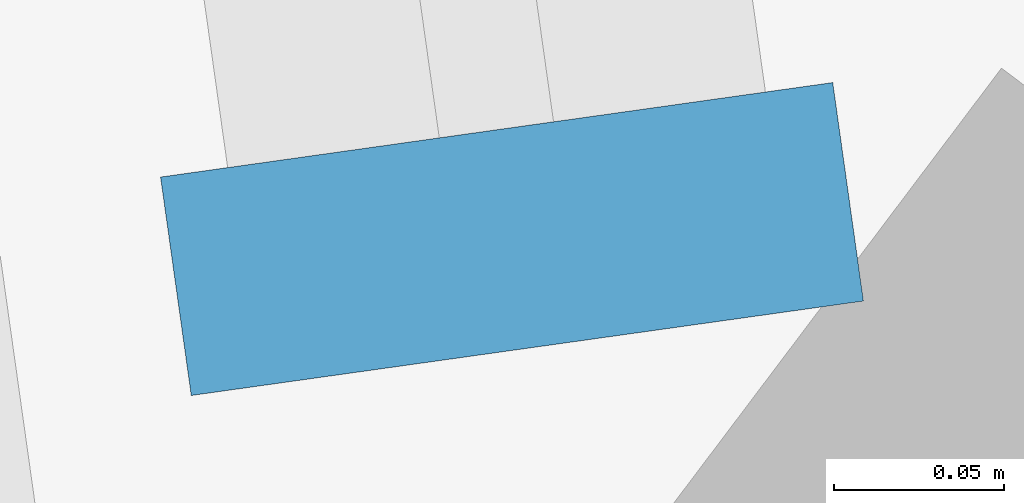
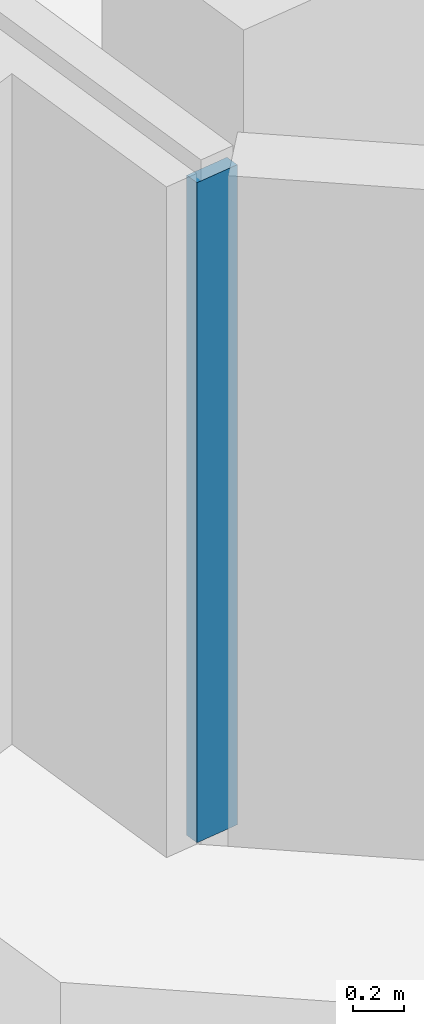
# One storey, part 15 of 41: 1 member, 1 element without a shape of its own.
"""IFC4 building model written with IfcOpenShell, lengths in metres."""

from ifc_helpers import new_model, si_unit, direction, frame, origin, origin_2d, place, context, subcontext, project, spatial, rectangle, extrude, material, material_profile, profile_set, type_object, element, aggregate, save


model = new_model("IFC4")

# Units and contexts
model_context = context("Model", 3, precision=1e-05, world=origin(), true_north=direction((0.0, 1.0)))
body_context = subcontext(model_context, "Body", "Model", "MODEL_VIEW")
ifc_project = project(units=[si_unit("LENGTHUNIT", "METRE"), si_unit("AREAUNIT", "SQUARE_METRE"), si_unit("VOLUMEUNIT", "CUBIC_METRE"), si_unit("PLANEANGLEUNIT", "RADIAN"), si_unit("MASSUNIT", "GRAM", prefix="KILO")], contexts=[model_context])

# Site, building, storey
site_placement = place(None, origin())
site = spatial("IfcSite", under=ifc_project, at=site_placement, CompositionType="ELEMENT")
building_placement = place(site_placement, origin())
building = spatial("IfcBuilding", under=site, at=building_placement, Name="Mirante Cascada Hotel Towers", CompositionType="ELEMENT")
storey_placement = place(building_placement, frame((0.0, 0.0, 125.3)))
storey = spatial("IfcBuildingStorey", under=building, at=storey_placement, Name="L28", CompositionType="ELEMENT", Elevation=125.3)

# Curtain wall, member
ifc_material_1 = material(Name="Aluminium mullion and transom frame with clear laminated glass", Category="aluminium")
curtain_wall_type = type_object("IfcCurtainWallType", Name="End ribbon curtain wall ECW2", PredefinedType="NOTDEFINED", material=ifc_material_1)
curtain_wall_placement = place(storey_placement, origin())
curtain_wall = element("IfcCurtainWall", 1, at=curtain_wall_placement, inside=storey, type_object=curtain_wall_type, Name="Inner end wall T2 L28", PredefinedType="NOTDEFINED")
ifc_material_2 = material(Name="Anodised aluminium extrusion", Category="aluminium")
ifc_material_profile = material_profile(ifc_material_2, rectangle(XDim=0.2, YDim=0.065, at=origin_2d()), Name="ECW2 MULLION 65x200")
ifc_profile_set = profile_set([ifc_material_profile], Name="Anodised aluminium extrusion")
member_type = type_object("IfcMemberType", Name="ECW2 mullion 65x200", PredefinedType="MULLION", material=ifc_profile_set)
member_placement = place(storey_placement, frame((32.1534, -16.2443, 0.1), z_axis=(0.0, 0.0, 1.0), x_axis=(0.9902681, 0.1391731, 0.0)))
member = element("IfcMember", 2, at=member_placement, type_object=member_type, Name="ECW2 mullion 7", PredefinedType="MULLION", context=body_context, shape_type="SweptSolid", body=[
    extrude(rectangle(XDim=0.2, YDim=0.065, at=origin_2d()), origin(), (0.0, 0.0, 1.0), 3.15),
])
aggregate(curtain_wall, [member])

save(model, "model.ifc")
